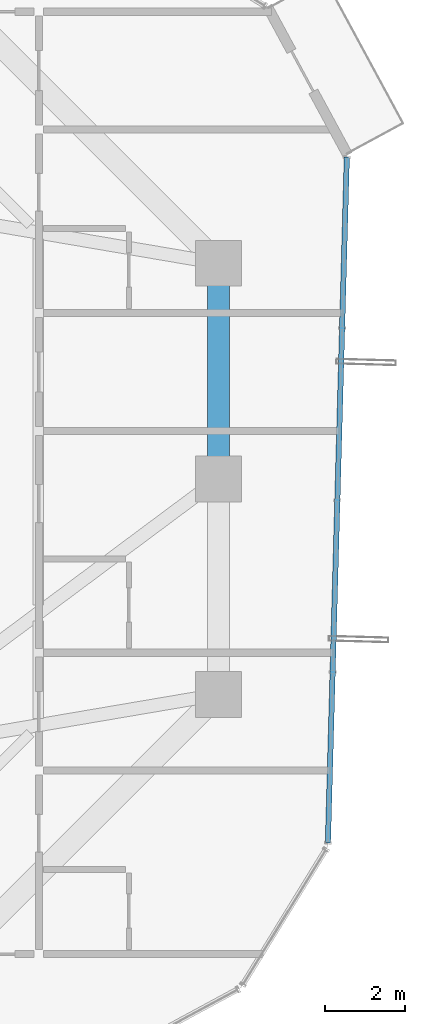
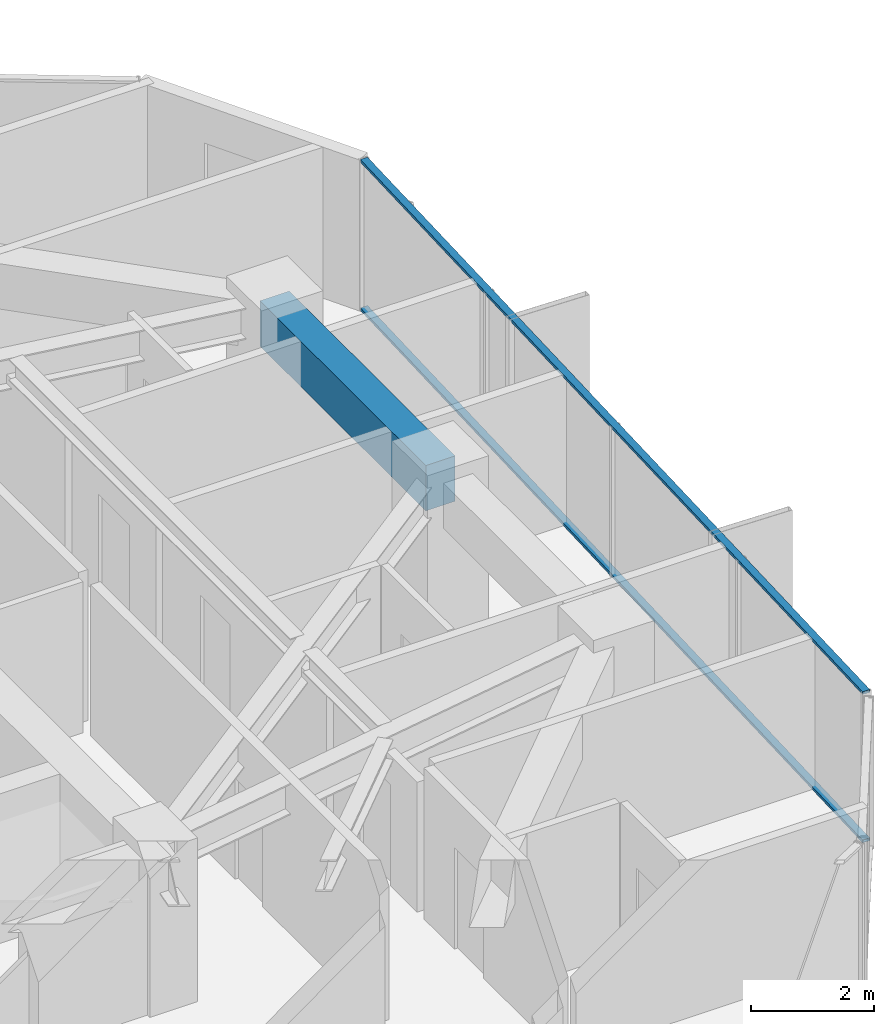
# One storey, part 15 of 30: 2 members, 1 beam, 1 element without a shape of its own.
"""IFC4 building model written with IfcOpenShell, lengths in metres."""

from ifc_helpers import new_model, si_unit, direction, frame, origin, origin_2d, place, context, subcontext, project, spatial, rectangle, hollow_rectangle, extrude, source, transform, mapped, material, layer, layer_set, material_profile, profile_set, type_object, element, aggregate, save


model = new_model("IFC4")

# Units and contexts
model_context = context("Model", 3, precision=1e-05, world=origin(), true_north=direction((0.0, 1.0)))
body_context = subcontext(model_context, "Body", "Model", "MODEL_VIEW")
ifc_project = project(units=[si_unit("LENGTHUNIT", "METRE"), si_unit("AREAUNIT", "SQUARE_METRE"), si_unit("VOLUMEUNIT", "CUBIC_METRE"), si_unit("PLANEANGLEUNIT", "RADIAN"), si_unit("MASSUNIT", "GRAM", prefix="KILO")], contexts=[model_context])

# Site, building, storey
site_placement = place(None, origin())
site = spatial("IfcSite", under=ifc_project, at=site_placement, CompositionType="ELEMENT")
building_placement = place(site_placement, origin())
building = spatial("IfcBuilding", under=site, at=building_placement, Name="Veraguas Prism Commons", CompositionType="ELEMENT")
storey_placement = place(building_placement, frame((0.0, 0.0, 123.0)))
storey = spatial("IfcBuildingStorey", under=building, at=storey_placement, Name="L34", CompositionType="ELEMENT", Elevation=123.0)

# Beam
ifc_material_1 = material(Name="Concrete C50/60", Category="concrete")
ifc_material_profile_1 = material_profile(ifc_material_1, rectangle(XDim=0.550048828125, YDim=0.89990234375, at=origin_2d()), Name="RC550X900")
ifc_profile_set_1 = profile_set([ifc_material_profile_1], Name="Concrete C50/60")
beam_type = type_object("IfcBeamType", Name="Perimeter Spandrel Lower RC 550x900", PredefinedType="SPANDREL", material=ifc_profile_set_1)
beam_placement = place(storey_placement, frame((40.199951171875, 24.0, 2.550048828125), z_axis=(0.0, 1.0, 0.0), x_axis=(-1.0, 0.0, 0.0)))
element("IfcBeam", 1, at=beam_placement, inside=storey, type_object=beam_type, Name="Perimeter Spandrel Beam L34-SP02", PredefinedType="SPANDREL", context=body_context, shape_type="SweptSolid", body=[
    extrude(rectangle(XDim=0.550048828125, YDim=0.89990234375, at=origin_2d()), origin(), (0.0, 0.0, 1.0), 5.39990234375),
])

# Curtain wall, members
ifc_material_2 = material(Name="Anodised aluminium EN AW-6063 T6", Category="aluminium")
ifc_layer = layer(ifc_material_2, 0.169921875, Name="Unitised Flush Curtain Wall Zone 2", Category="aluminium")
ifc_layer_set = layer_set([ifc_layer], Name="Anodised aluminium EN AW-6063 T6")
curtain_wall_type = type_object("IfcCurtainWallType", Name="Unitised Flush Curtain Wall Zone 2", PredefinedType="NOTDEFINED", material=ifc_layer_set)
curtain_wall_placement = place(storey_placement, origin())
curtain_wall = element("IfcCurtainWall", 2, at=curtain_wall_placement, inside=storey, type_object=curtain_wall_type, Name="Tower Facade Curtain Wall L34-F6", PredefinedType="NOTDEFINED")
ifc_material_profile_2 = material_profile(ifc_material_2, hollow_rectangle(XDim=0.054931640625, YDim=0.135009765625, WallThickness=0.0029296875, at=origin_2d()), Name="AL55X135X3")
ifc_profile_set_2 = profile_set([ifc_material_profile_2], Name="Anodised aluminium EN AW-6063 T6")
member_type = type_object("IfcMemberType", Name="Curtain Wall Transom Standard AL 55x135x3", PredefinedType="USERDEFINED", material=ifc_profile_set_2)
shared_shape = source(origin(), body_context, "Body", "SweptSolid", [
    extrude(hollow_rectangle(XDim=0.054931640625, YDim=0.135009765625, WallThickness=0.0029296875, at=origin_2d()), origin(), (0.0, 0.0, 1.0), 17.17431640625),
])
member_1_placement = place(storey_placement, frame((42.9384765625, 14.88720703125, 0.027587890625), z_axis=(0.027563862774, 0.999620044551, 0.0), x_axis=(0.0, 0.0, 1.0)))
member_1 = element("IfcMember", 3, at=member_1_placement, type_object=member_type, Name="CW-Z2 Transom 1", ObjectType="TRANSOM", PredefinedType="USERDEFINED", context=body_context, shape_type="MappedRepresentation", body=[
    mapped(shared_shape, transform((0.0, 0.0, 0.0), scale=1.0)),
])
member_2_placement = place(storey_placement, frame((42.9384765625, 14.88720703125, 2.972412109375), z_axis=(0.027563862774, 0.999620044551, 0.0), x_axis=(0.0, 0.0, 1.0)))
member_2 = element("IfcMember", 4, at=member_2_placement, type_object=member_type, Name="CW-Z2 Transom 2", ObjectType="TRANSOM", PredefinedType="USERDEFINED", context=body_context, shape_type="MappedRepresentation", body=[
    mapped(shared_shape, transform((0.0, 0.0, 0.0), scale=1.0)),
])
aggregate(curtain_wall, [member_1, member_2])

save(model, "model.ifc")
